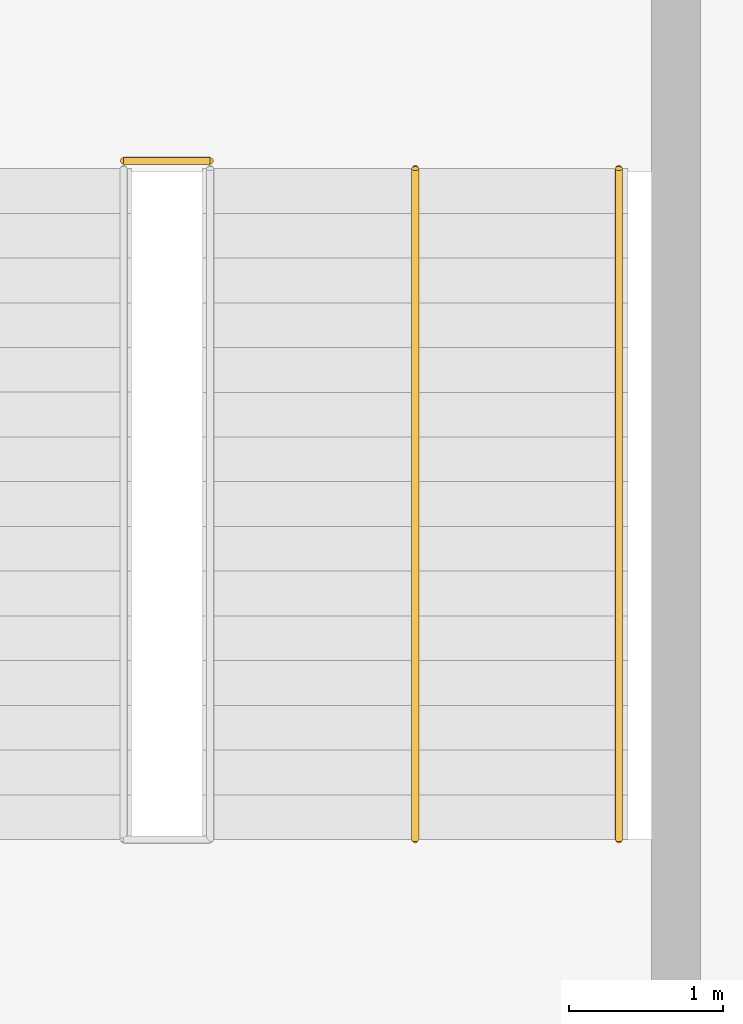
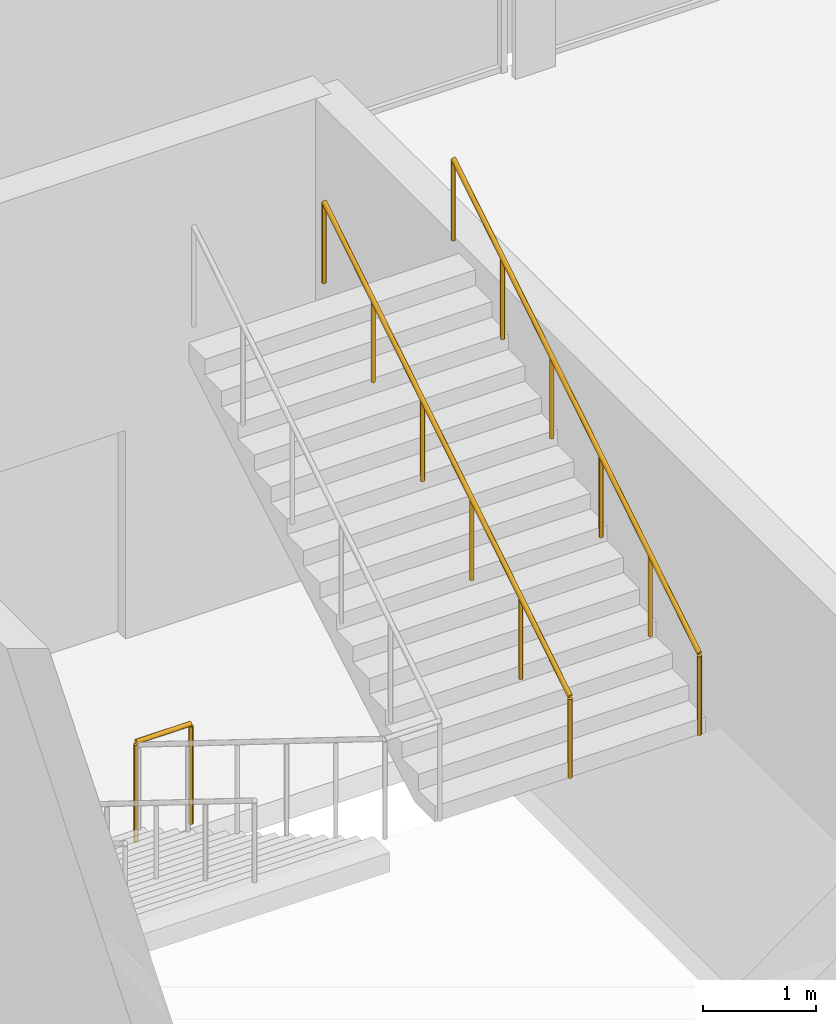
# One storey, part 97 of 111: 3 railings.
"""IFC4 building model written with IfcOpenShell, lengths in metres."""

import ifcopenshell
import ifcopenshell.guid

model = None  # the IFC model being written
_history = None  # IfcOwnerHistory: only IFC2X3 demands one
_inside = {}  # id of a spatial element -> (the spatial element, [elements in it])
_under = {}  # id of a project, library or spatial element -> (it, [spatial elements below it])
_declared = {}  # id of a project -> (the project, [libraries it declares])
_typed = {}  # id of a type object -> (the type object, [elements of that type])
_made_of = {}  # id of a material, layer set ... -> (it, [elements and type objects made of it])


def new_model(schema):
    """Start an empty IFC model of exactly this schema.

    Asked for "IFC4X3", IfcOpenShell would pick the latest addendum, in which some entities
    have other attributes; the version numbers below select the first issue.
    IFC2X3 requires an IfcOwnerHistory on every rooted entity: one is made here for all.
    """
    global model, _history
    if schema == "IFC4X3":
        model = ifcopenshell.file(schema_version=(4, 3, 0, 0))
    else:
        model = ifcopenshell.file(schema=schema)
    _inside.clear()
    _under.clear()
    _declared.clear()
    _typed.clear()
    _made_of.clear()
    _history = None
    if model.schema == "IFC2X3":
        org = make("IfcOrganization", Name="unknown")
        user = make(
            "IfcPersonAndOrganization",
            ThePerson=make("IfcPerson", FamilyName="unknown"),
            TheOrganization=org,
        )
        app = make(
            "IfcApplication",
            ApplicationDeveloper=org,
            Version="unknown",
            ApplicationFullName="unknown",
            ApplicationIdentifier="unknown",
        )
        _history = make(
            "IfcOwnerHistory",
            OwningUser=user,
            OwningApplication=app,
            ChangeAction="ADDED",
            CreationDate=0,
        )
    return model


def make(cls, **values):
    """One entity of the class cls with the attributes given. An attribute that is None is left unset."""
    return model.create_entity(
        cls, **{name: value for name, value in values.items() if value is not None}
    )


def rooted(cls, **values):
    """An entity with a GlobalId (a new one), such as an element, a storey or a relation."""
    return make(cls, GlobalId=ifcopenshell.guid.new(), OwnerHistory=_history, **values)


def si_unit(unit_type, name, prefix=None):
    """IfcSIUnit, for example si_unit("LENGTHUNIT", "METRE", prefix="MILLI")."""
    return make("IfcSIUnit", UnitType=unit_type, Prefix=prefix, Name=name)


def assignment(units):
    """IfcUnitAssignment: the units of a project."""
    return None if units is None else make("IfcUnitAssignment", Units=units)


def point(xyz):
    """IfcCartesianPoint."""
    return None if xyz is None else make("IfcCartesianPoint", Coordinates=xyz)


def direction(xyz):
    """IfcDirection."""
    return None if xyz is None else make("IfcDirection", DirectionRatios=xyz)


def frame(location, z_axis=None, x_axis=None):
    """IfcAxis2Placement3D, a coordinate frame: its origin and axes. An axis left out is left unset."""
    return make(
        "IfcAxis2Placement3D",
        Location=point(location),
        Axis=direction(z_axis),
        RefDirection=direction(x_axis),
    )


def frame_2d(location, x_axis=None):
    """IfcAxis2Placement2D, a coordinate frame in the plane: its origin and x axis."""
    return make(
        "IfcAxis2Placement2D", Location=point(location), RefDirection=direction(x_axis)
    )


def origin():
    """The frame at (0, 0, 0) with its axes left unset."""
    return frame((0.0, 0.0, 0.0))


def origin_2d():
    """The frame at (0, 0) in the plane with its x axis left unset."""
    return frame_2d((0.0, 0.0))


def place(relative_to, where):
    """IfcLocalPlacement: puts the frame where relative to a parent placement (None: the world)."""
    return make(
        "IfcLocalPlacement", PlacementRelTo=relative_to, RelativePlacement=where
    )


def context(
    kind, dimensions, precision=None, world=None, true_north=None, identifier=None
):
    """IfcGeometricRepresentationContext, for example the 3D "Model" context."""
    return make(
        "IfcGeometricRepresentationContext",
        ContextIdentifier=identifier,
        ContextType=kind,
        CoordinateSpaceDimension=dimensions,
        Precision=precision,
        WorldCoordinateSystem=world,
        TrueNorth=true_north,
    )


def subcontext(parent, identifier, kind, view, scale=None):
    """IfcGeometricRepresentationSubContext, for example "Body" below "Model"."""
    return make(
        "IfcGeometricRepresentationSubContext",
        ContextIdentifier=identifier,
        ContextType=kind,
        ParentContext=parent,
        TargetScale=scale,
        TargetView=view,
    )


def project(units=None, contexts=None):
    """IfcProject with its units and contexts."""
    return rooted(
        "IfcProject",
        Name="project",
        RepresentationContexts=contexts,
        UnitsInContext=assignment(units),
    )


def spatial(cls, under=None, at=None, **own):
    """A site, building, storey or space (cls), placed at a placement, below another one or the project."""
    s = rooted(cls, ObjectPlacement=at, **own)
    if under is not None:
        _under.setdefault(under.id(), (under, []))[1].append(s)
    return s


def profile(cls, at=None, kind="AREA", **sizes):
    """A parametric profile (cls). Its sizes go by their IFC names, for example OverallWidth=200.0."""
    return make(cls, ProfileType=kind, Position=at, **sizes)


def circle(**sizes):
    """IfcCircleProfileDef."""
    return profile("IfcCircleProfileDef", **sizes)


def extrude(swept, where, along, depth):
    """IfcExtrudedAreaSolid: the profile swept, set in the frame where, extruded along a direction by depth."""
    return make(
        "IfcExtrudedAreaSolid",
        SweptArea=swept,
        Position=where,
        ExtrudedDirection=direction(along),
        Depth=depth,
    )


def shape(context_of_items, identifier, shape_type, items):
    """IfcShapeRepresentation: the items that make up one representation, for example the "Body"."""
    return make(
        "IfcShapeRepresentation",
        ContextOfItems=context_of_items,
        RepresentationIdentifier=identifier,
        RepresentationType=shape_type,
        Items=items,
    )


def material(Name=None, Category=None):
    """IfcMaterial."""
    return make("IfcMaterial", Name=Name, Category=Category)


def made_of(thing, what):
    """Note that an element or type object is made of a material, layer set ...; save() writes the relation."""
    if what is not None:
        _made_of.setdefault(what.id(), (what, []))[1].append(thing)
    return thing


def type_object(cls, material=None, **own):
    """A type object (cls), such as IfcWallType, which elements share."""
    return made_of(rooted(cls, **own), material)


def element(
    cls,
    number,
    at=None,
    inside=None,
    cuts=None,
    type_object=None,
    material=None,
    context=None,
    identifier="Body",
    shape_type=None,
    held_by="IfcProductDefinitionShape",
    body=None,
    shapes=None,
    **own,
):
    """One element of the class cls, such as IfcWall. Its Tag is "e" and its number.

    at: its placement. inside: the storey or other place that contains it. cuts: it is an
    opening in that element (IfcRelVoidsElement). A single representation is given by context,
    identifier, shape_type and body (its items); several are given by shapes. held_by: the class
    of the entity that holds the representations. save() writes the other relations.
    """
    e = rooted(cls, Tag="e%d" % number, ObjectPlacement=at, **own)
    if body is not None:
        shapes = [shape(context, identifier, shape_type, body)]
    if shapes is not None:
        e.Representation = make(held_by, Representations=shapes)
    if inside is not None:
        _inside.setdefault(inside.id(), (inside, []))[1].append(e)
    if cuts is not None:
        rooted(
            "IfcRelVoidsElement", RelatingBuildingElement=cuts, RelatedOpeningElement=e
        )
    if type_object is not None:
        _typed.setdefault(type_object.id(), (type_object, []))[1].append(e)
    return made_of(e, material)


def aggregate(whole, parts):
    """IfcRelAggregates: a whole, such as a stair, and the parts it consists of."""
    return rooted("IfcRelAggregates", RelatingObject=whole, RelatedObjects=parts)


def save(model, path):
    """Write the relations noted so far, then the file.

    IfcRelAggregates (storeys below a building ...), IfcRelContainedInSpatialStructure (elements
    in a storey), IfcRelDefinesByType, IfcRelAssociatesMaterial and IfcRelDeclares: one each for
    every whole, place, type object, material and project.
    """
    for whole, parts in _under.values():
        aggregate(whole, parts)
    for where, things in _inside.values():
        rooted(
            "IfcRelContainedInSpatialStructure",
            RelatedElements=things,
            RelatingStructure=where,
        )
    for kind, things in _typed.values():
        rooted("IfcRelDefinesByType", RelatedObjects=things, RelatingType=kind)
    for what, things in _made_of.values():
        rooted("IfcRelAssociatesMaterial", RelatedObjects=things, RelatingMaterial=what)
    for by, libraries in _declared.values():
        rooted("IfcRelDeclares", RelatingContext=by, RelatedDefinitions=libraries)
    model.write(path)


model = new_model("IFC4")

# Units and contexts
model_context = context("Model", 3, precision=1e-05, world=origin(), true_north=direction((0.0, 1.0)))
body_context = subcontext(model_context, "Body", "Model", "MODEL_VIEW")
ifc_project = project(units=[si_unit("LENGTHUNIT", "METRE"), si_unit("AREAUNIT", "SQUARE_METRE"), si_unit("VOLUMEUNIT", "CUBIC_METRE"), si_unit("PLANEANGLEUNIT", "RADIAN"), si_unit("MASSUNIT", "GRAM", prefix="KILO")], contexts=[model_context])

# Site, building, storey
site_placement = place(None, origin())
site = spatial("IfcSite", under=ifc_project, at=site_placement, CompositionType="ELEMENT")
building_placement = place(site_placement, origin())
building = spatial("IfcBuilding", under=site, at=building_placement, Name="Kisiwana Market Hall", CompositionType="ELEMENT")
storey_placement = place(building_placement, frame((0.0, 0.0, 11.39990234375)))
storey = spatial("IfcBuildingStorey", under=building, at=storey_placement, Name="L02", CompositionType="ELEMENT", Elevation=11.39990234375)

# Railings
ifc_material_1 = material(Name="Steel S275", Category="steel")
railing_type_1 = type_object("IfcRailingType", Name="RL-GUARD-1100", PredefinedType="GUARDRAIL", material=ifc_material_1)
railing_placement = place(storey_placement, frame((54.02001953125, 27.2900390625, 0.0)))
element("IfcRailing", 1, at=railing_placement, inside=storey, type_object=railing_type_1, Name="Stair ST-S3-L02 landing edge guardrail (RL-596)", PredefinedType="GUARDRAIL", context=body_context, shape_type="SweptSolid", body=[
    extrude(circle(Radius=0.02392578125, at=origin_2d()), frame((0.0, 0.0, 1.076171875), z_axis=(1.0, 0.0, 0.0), x_axis=(0.0, 1.0, 0.0)), (0.0, 0.0, 1.0), 0.56005859375),
    extrude(circle(Radius=0.02099609375, at=origin_2d()), origin(), (0.0, 0.0, 1.0), 1.052001953125),
    extrude(circle(Radius=0.02099609375, at=origin_2d()), frame((0.56005859375, 0.0, 0.0)), (0.0, 0.0, 1.0), 1.052001953125),
])
ifc_material_2 = material(Name="Steel S275", Category="steel")
railing_type_2 = type_object("IfcRailingType", Name="RL-HAND-900", PredefinedType="HANDRAIL", material=ifc_material_2)
for number, where, name in (
    (2, (57.22998046875, 22.889892578125, 2.7001953125), "Stair ST-S3-L02 flight 2 handrail (RL-593)"),
    (3, (55.909912109375, 22.889892578125, 2.7001953125), "Stair ST-S3-L02 flight 2 intermediate handrail (RL-595)"),
):
    element("IfcRailing", number, at=place(storey_placement, frame(where)), inside=storey, type_object=railing_type_2, Name=name, PredefinedType="HANDRAIL", context=body_context, shape_type="SweptSolid", body=[
        extrude(circle(Radius=0.02392578125, at=origin_2d()), frame((0.0, 0.0, 0.8759765625), z_axis=(0.0, 0.849649743971, 0.527347430608), x_axis=(-1.0, 0.0, 0.0)), (0.0, 0.0, 1.0), 5.119873046875),
        extrude(circle(Radius=0.02099609375, at=origin_2d()), origin(), (0.0, 0.0, 1.0), 0.851806640625),
        extrude(circle(Radius=0.02099609375, at=origin_2d()), frame((0.0, 0.8701171875, 0.5400390625)), (0.0, 0.0, 1.0), 0.851806640625),
        extrude(circle(Radius=0.02099609375, at=origin_2d()), frame((0.0, 1.739990234375, 1.080078125)), (0.0, 0.0, 1.0), 0.851806640625),
        extrude(circle(Radius=0.02099609375, at=origin_2d()), frame((0.0, 2.610107421875, 1.619873046875)), (0.0, 0.0, 1.0), 0.851806640625),
        extrude(circle(Radius=0.02099609375, at=origin_2d()), frame((0.0, 3.47998046875, 2.159912109375)), (0.0, 0.0, 1.0), 0.851806640625),
        extrude(circle(Radius=0.02099609375, at=origin_2d()), frame((0.0, 4.35009765625, 2.699951171875)), (0.0, 0.0, 1.0), 0.851806640625),
    ])

save(model, "model.ifc")
